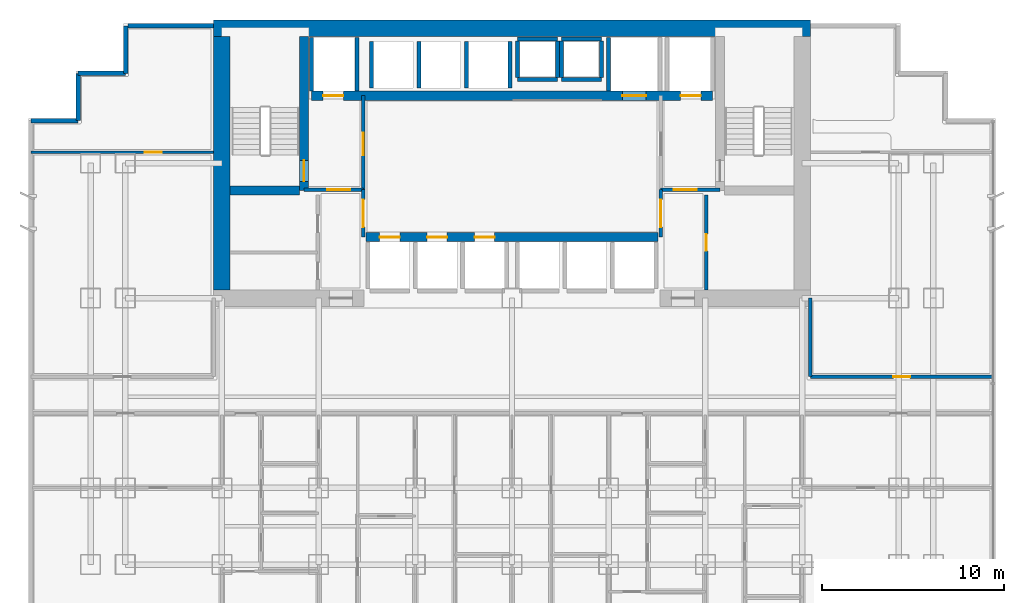
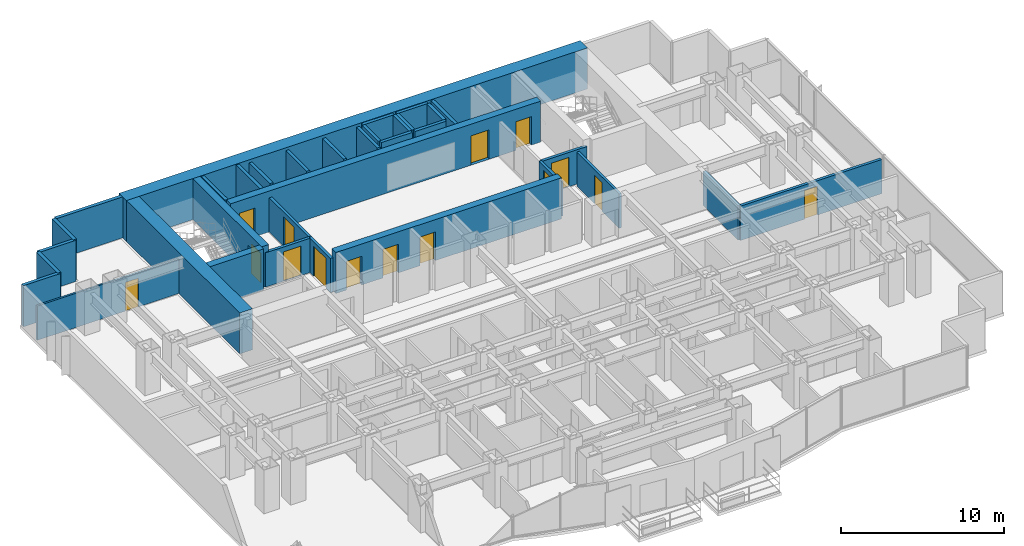
# One storey, part 9 of 12: 35 walls, 15 doors, 15 openings.
"""IFC4 building model written with IfcOpenShell, lengths in metres."""

from ifc_helpers import new_model, si_unit, direction, frame, frame_2d, origin, place, context, subcontext, project, spatial, rectangle, extrude, material, layer, layer_set, type_object, element, fill, save


model = new_model("IFC4")

# Units and contexts
model_context = context("Model", 3, precision=1e-05, world=origin(), true_north=direction((0.0, 1.0)))
body_context = subcontext(model_context, "Body", "Model", "MODEL_VIEW")
ifc_project = project(units=[si_unit("LENGTHUNIT", "METRE"), si_unit("AREAUNIT", "SQUARE_METRE"), si_unit("VOLUMEUNIT", "CUBIC_METRE"), si_unit("PLANEANGLEUNIT", "RADIAN"), si_unit("MASSUNIT", "GRAM", prefix="KILO")], contexts=[model_context])

# Site, building, storey
site_placement = place(None, origin())
site = spatial("IfcSite", under=ifc_project, at=site_placement, CompositionType="ELEMENT")
building_placement = place(site_placement, origin())
building = spatial("IfcBuilding", under=site, at=building_placement, Name="Qianlan Lanfeng Residences", CompositionType="ELEMENT")
storey_placement = place(building_placement, frame((0.0, 0.0, 63.800048828125)))
storey = spatial("IfcBuildingStorey", under=building, at=storey_placement, Name="L17", CompositionType="ELEMENT", Elevation=63.800048828125)

# Wall, opening, door
ifc_material_1 = material(Name="Concrete C70", Category="concrete")
ifc_layer_1 = layer(ifc_material_1, 0.5)
ifc_layer_set_1 = layer_set([ifc_layer_1], Name="Concrete C70")
wall_type_1 = type_object("IfcWallType", Name="CW-RC-500", PredefinedType="SHEAR", material=ifc_layer_set_1)
wall_1_placement = place(storey_placement, frame((15.10009765625, 31.10009765625, 0.0), z_axis=(0.0, 0.0, 1.0), x_axis=(0.0, 1.0, 0.0)))
wall_1 = element("IfcWall", 1, at=wall_1_placement, inside=storey, type_object=wall_type_1, Name="L17 Core Shear Wall ST1E", PredefinedType="SHEAR", context=body_context, shape_type="SweptSolid", body=[
    extrude(rectangle(XDim=8.449951171875, YDim=0.5, at=frame_2d((4.22509765625, 0.0))), origin(), (0.0, 0.0, 1.0), 3.079833984375),
])
opening_1_placement = place(wall_1_placement, frame((0.510009765625, 0.0, 0.0)))
opening_1 = element("IfcOpeningElement", 2, at=opening_1_placement, cuts=wall_1, Name="Opening L17-D07", PredefinedType="OPENING", context=body_context, shape_type="SweptSolid", body=[
    extrude(rectangle(XDim=1.14990234375, YDim=2.199951171875, at=frame_2d((0.574951171875, 1.10009765625))), frame((0.0, 0.260009765625, 0.0), z_axis=(0.0, -1.0, 0.0), x_axis=(1.0, 0.0, 0.0)), (0.0, 0.0, 1.0), 0.52001953125),
])
ifc_material_2 = material(Name="Painted Galvanised Steel Fire Door", Category="steel")
door_type_1 = type_object("IfcDoorType", Name="DT-ST1", OperationType="NOTDEFINED", PredefinedType="DOOR", material=ifc_material_2)
door_1_placement = place(opening_1_placement, frame((1.14990234375, 0.0, 0.0), z_axis=(0.0, 0.0, 1.0), x_axis=(-1.0, 0.0, 0.0)))
door_1 = element("IfcDoor", 3, at=door_1_placement, inside=storey, type_object=door_type_1, Name="L17 Exit Stair ST-1 Door L17-D07 (DT-ST1)", OperationType="SINGLE_SWING_RIGHT", OverallHeight=2.199951171875, OverallWidth=1.14990234375, PredefinedType="DOOR", context=body_context, shape_type="SweptSolid", body=[
    extrude(rectangle(XDim=1.14990234375, YDim=2.199951171875, at=frame_2d((0.574951171875, 1.10009765625))), frame((0.0, 0.02490234375, 0.0), z_axis=(0.0, -1.0, 0.0), x_axis=(1.0, 0.0, 0.0)), (0.0, 0.0, 1.0), 0.050048828125),
])
fill(opening_1, door_1)

# Wall
wall_2_placement = place(storey_placement, frame((11.050048828125, 31.10009765625, 0.0), z_axis=(0.0, 0.0, 1.0), x_axis=(1.0, 0.0, 0.0)))
element("IfcWall", 4, at=wall_2_placement, inside=storey, type_object=wall_type_1, Name="L17 Core Shear Wall ST1S", PredefinedType="SHEAR", context=body_context, shape_type="SweptSolid", body=[
    extrude(rectangle(XDim=3.800048828125, YDim=0.5, at=frame_2d((1.89990234375, 0.0))), origin(), (0.0, 0.0, 1.0), 3.079833984375),
])

# Wall, openings, doors
wall_3_placement = place(storey_placement, frame((15.5, 36.300048828125, 0.0), z_axis=(0.0, 0.0, 1.0), x_axis=(1.0, 0.0, 0.0)))
wall_3 = element("IfcWall", 5, at=wall_3_placement, inside=storey, type_object=wall_type_1, Name="L17 Core Shear Wall LBN", PredefinedType="SHEAR", context=body_context, shape_type="SweptSolid", body=[
    extrude(rectangle(XDim=22.0, YDim=0.5, at=frame_2d((11.0, 0.0))), origin(), (0.0, 0.0, 1.0), 3.079833984375),
])
opening_2_placement = place(wall_3_placement, frame((0.64990234375, 0.0, 0.0)))
opening_2 = element("IfcOpeningElement", 6, at=opening_2_placement, cuts=wall_3, Name="Opening L17-LD-FFL-1", PredefinedType="OPENING", context=body_context, shape_type="SweptSolid", body=[
    extrude(rectangle(XDim=1.10009765625, YDim=2.14990234375, at=frame_2d((0.550048828125, 1.074951171875))), frame((0.0, 0.260009765625, 0.0), z_axis=(0.0, -1.0, 0.0), x_axis=(1.0, 0.0, 0.0)), (0.0, 0.0, 1.0), 0.52001953125),
])
opening_3_placement = place(wall_3_placement, frame((20.25, 0.0, 0.0)))
opening_3 = element("IfcOpeningElement", 7, at=opening_3_placement, cuts=wall_3, Name="Opening L17-LD-FFL-2", PredefinedType="OPENING", context=body_context, shape_type="SweptSolid", body=[
    extrude(rectangle(XDim=1.10009765625, YDim=2.14990234375, at=frame_2d((0.550048828125, 1.074951171875))), frame((0.0, 0.260009765625, 0.0), z_axis=(0.0, -1.0, 0.0), x_axis=(1.0, 0.0, 0.0)), (0.0, 0.0, 1.0), 0.52001953125),
])
opening_4_placement = place(wall_3_placement, frame((17.050048828125, 0.0, 0.0)))
opening_4 = element("IfcOpeningElement", 8, at=opening_4_placement, cuts=wall_3, Name="Opening L17-LD-SVL-1", PredefinedType="OPENING", context=body_context, shape_type="SweptSolid", body=[
    extrude(rectangle(XDim=1.300048828125, YDim=2.199951171875, at=frame_2d((0.64990234375, 1.10009765625))), frame((0.0, 0.260009765625, 0.0), z_axis=(0.0, -1.0, 0.0), x_axis=(1.0, 0.0, 0.0)), (0.0, 0.0, 1.0), 0.52001953125),
])
ifc_material_3 = material(Name="Brushed Stainless Steel Sliding Lift Door", Category="steel")
door_type_2 = type_object("IfcDoorType", Name="LD-01", OperationType="NOTDEFINED", PredefinedType="DOOR", material=ifc_material_3)
door_2_placement = place(opening_2_placement, frame((1.10009765625, 0.0, 0.0), z_axis=(0.0, 0.0, 1.0), x_axis=(-1.0, 0.0, 0.0)))
door_2 = element("IfcDoor", 9, at=door_2_placement, inside=storey, type_object=door_type_2, Name="L17 Elevator FFL-1 Sliding Landing Door", OperationType="DOUBLE_DOOR_SLIDING", OverallHeight=2.14990234375, OverallWidth=1.10009765625, PredefinedType="DOOR", context=body_context, shape_type="SweptSolid", body=[
    extrude(rectangle(XDim=1.10009765625, YDim=2.14990234375, at=frame_2d((0.550048828125, 1.074951171875))), frame((0.0, 0.02490234375, 0.0), z_axis=(0.0, -1.0, 0.0), x_axis=(1.0, 0.0, 0.0)), (0.0, 0.0, 1.0), 0.050048828125),
])
fill(opening_2, door_2)
door_3_placement = place(opening_3_placement, frame((1.10009765625, 0.0, 0.0), z_axis=(0.0, 0.0, 1.0), x_axis=(-1.0, 0.0, 0.0)))
door_3 = element("IfcDoor", 10, at=door_3_placement, inside=storey, type_object=door_type_2, Name="L17 Elevator FFL-2 Sliding Landing Door", OperationType="DOUBLE_DOOR_SLIDING", OverallHeight=2.14990234375, OverallWidth=1.10009765625, PredefinedType="DOOR", context=body_context, shape_type="SweptSolid", body=[
    extrude(rectangle(XDim=1.10009765625, YDim=2.14990234375, at=frame_2d((0.550048828125, 1.074951171875))), frame((0.0, 0.02490234375, 0.0), z_axis=(0.0, -1.0, 0.0), x_axis=(1.0, 0.0, 0.0)), (0.0, 0.0, 1.0), 0.050048828125),
])
fill(opening_3, door_3)
door_type_3 = type_object("IfcDoorType", Name="LD-02", OperationType="NOTDEFINED", PredefinedType="DOOR", material=ifc_material_3)
door_4_placement = place(opening_4_placement, frame((1.300048828125, 0.0, 0.0), z_axis=(0.0, 0.0, 1.0), x_axis=(-1.0, 0.0, 0.0)))
door_4 = element("IfcDoor", 11, at=door_4_placement, inside=storey, type_object=door_type_3, Name="L17 Elevator SVL-1 Sliding Landing Door", OperationType="DOUBLE_DOOR_SLIDING", OverallHeight=2.199951171875, OverallWidth=1.300048828125, PredefinedType="DOOR", context=body_context, shape_type="SweptSolid", body=[
    extrude(rectangle(XDim=1.300048828125, YDim=2.199951171875, at=frame_2d((0.64990234375, 1.10009765625))), frame((0.0, 0.02490234375, 0.0), z_axis=(0.0, -1.0, 0.0), x_axis=(1.0, 0.0, 0.0)), (0.0, 0.0, 1.0), 0.050048828125),
])
fill(opening_4, door_4)

wall_4_placement = place(storey_placement, frame((18.5, 28.550048828125, 0.0), z_axis=(0.0, 0.0, 1.0), x_axis=(1.0, 0.0, 0.0)))
wall_4 = element("IfcWall", 12, at=wall_4_placement, inside=storey, type_object=wall_type_1, Name="L17 Core Shear Wall LBS", PredefinedType="SHEAR", context=body_context, shape_type="SweptSolid", body=[
    extrude(rectangle(XDim=16.0, YDim=0.5, at=frame_2d((8.0, 0.0))), origin(), (0.0, 0.0, 1.0), 3.079833984375),
])
opening_5_placement = place(wall_4_placement, frame((0.75, 0.0, 0.0)))
opening_5 = element("IfcOpeningElement", 13, at=opening_5_placement, cuts=wall_4, Name="Opening L17-LD-PL-L1", PredefinedType="OPENING", context=body_context, shape_type="SweptSolid", body=[
    extrude(rectangle(XDim=1.10009765625, YDim=2.14990234375, at=frame_2d((0.550048828125, 1.074951171875))), frame((0.0, 0.260009765625, 0.0), z_axis=(0.0, -1.0, 0.0), x_axis=(1.0, 0.0, 0.0)), (0.0, 0.0, 1.0), 0.52001953125),
])
opening_6_placement = place(wall_4_placement, frame((3.35009765625, 0.0, 0.0)))
opening_6 = element("IfcOpeningElement", 14, at=opening_6_placement, cuts=wall_4, Name="Opening L17-LD-PL-L2", PredefinedType="OPENING", context=body_context, shape_type="SweptSolid", body=[
    extrude(rectangle(XDim=1.10009765625, YDim=2.14990234375, at=frame_2d((0.550048828125, 1.074951171875))), frame((0.0, 0.260009765625, 0.0), z_axis=(0.0, -1.0, 0.0), x_axis=(1.0, 0.0, 0.0)), (0.0, 0.0, 1.0), 0.52001953125),
])
opening_7_placement = place(wall_4_placement, frame((5.949951171875, 0.0, 0.0)))
opening_7 = element("IfcOpeningElement", 15, at=opening_7_placement, cuts=wall_4, Name="Opening L17-LD-PL-L3", PredefinedType="OPENING", context=body_context, shape_type="SweptSolid", body=[
    extrude(rectangle(XDim=1.10009765625, YDim=2.14990234375, at=frame_2d((0.550048828125, 1.074951171875))), frame((0.0, 0.260009765625, 0.0), z_axis=(0.0, -1.0, 0.0), x_axis=(1.0, 0.0, 0.0)), (0.0, 0.0, 1.0), 0.52001953125),
])
door_5_placement = place(opening_5_placement, origin())
door_5 = element("IfcDoor", 16, at=door_5_placement, inside=storey, type_object=door_type_2, Name="L17 Elevator PL-L1 Sliding Landing Door", OperationType="DOUBLE_DOOR_SLIDING", OverallHeight=2.14990234375, OverallWidth=1.10009765625, PredefinedType="DOOR", context=body_context, shape_type="SweptSolid", body=[
    extrude(rectangle(XDim=1.10009765625, YDim=2.14990234375, at=frame_2d((0.550048828125, 1.074951171875))), frame((0.0, 0.02490234375, 0.0), z_axis=(0.0, -1.0, 0.0), x_axis=(1.0, 0.0, 0.0)), (0.0, 0.0, 1.0), 0.050048828125),
])
fill(opening_5, door_5)
door_6_placement = place(opening_6_placement, origin())
door_6 = element("IfcDoor", 17, at=door_6_placement, inside=storey, type_object=door_type_2, Name="L17 Elevator PL-L2 Sliding Landing Door", OperationType="DOUBLE_DOOR_SLIDING", OverallHeight=2.14990234375, OverallWidth=1.10009765625, PredefinedType="DOOR", context=body_context, shape_type="SweptSolid", body=[
    extrude(rectangle(XDim=1.10009765625, YDim=2.14990234375, at=frame_2d((0.550048828125, 1.074951171875))), frame((0.0, 0.02490234375, 0.0), z_axis=(0.0, -1.0, 0.0), x_axis=(1.0, 0.0, 0.0)), (0.0, 0.0, 1.0), 0.050048828125),
])
fill(opening_6, door_6)
door_7_placement = place(opening_7_placement, origin())
door_7 = element("IfcDoor", 18, at=door_7_placement, inside=storey, type_object=door_type_2, Name="L17 Elevator PL-L3 Sliding Landing Door", OperationType="DOUBLE_DOOR_SLIDING", OverallHeight=2.14990234375, OverallWidth=1.10009765625, PredefinedType="DOOR", context=body_context, shape_type="SweptSolid", body=[
    extrude(rectangle(XDim=1.10009765625, YDim=2.14990234375, at=frame_2d((0.550048828125, 1.074951171875))), frame((0.0, 0.02490234375, 0.0), z_axis=(0.0, -1.0, 0.0), x_axis=(1.0, 0.0, 0.0)), (0.0, 0.0, 1.0), 0.050048828125),
])
fill(opening_7, door_7)

# Walls
ifc_layer_2 = layer(ifc_material_1, 0.89990234375)
ifc_layer_set_2 = layer_set([ifc_layer_2], Name="Concrete C70")
wall_type_2 = type_object("IfcWallType", Name="CW-RC-900", PredefinedType="SHEAR", material=ifc_layer_set_2)
wall_5_placement = place(storey_placement, frame((10.14990234375, 40.0, 0.0), z_axis=(0.0, 0.0, 1.0), x_axis=(1.0, 0.0, 0.0)))
element("IfcWall", 19, at=wall_5_placement, inside=storey, type_object=wall_type_2, Name="L17 Core Shear Wall N", PredefinedType="SHEAR", context=body_context, shape_type="SweptSolid", body=[
    extrude(rectangle(XDim=32.7001953125, YDim=0.89990234375, at=frame_2d((16.35009765625, 0.0))), origin(), (0.0, 0.0, 1.0), 3.079833984375),
])
wall_6_placement = place(storey_placement, frame((10.60009765625, 25.64990234375, 0.0), z_axis=(0.0, 0.0, 1.0), x_axis=(0.0, 1.0, 0.0)))
element("IfcWall", 20, at=wall_6_placement, inside=storey, type_object=wall_type_2, Name="L17 Core Shear Wall W", PredefinedType="SHEAR", context=body_context, shape_type="SweptSolid", body=[
    extrude(rectangle(XDim=13.900146484375, YDim=0.89990234375, at=frame_2d((6.9501953125, 0.0))), origin(), (0.0, 0.0, 1.0), 3.079833984375),
])
ifc_material_4 = material(Name="Concrete C42", Category="concrete")
ifc_layer_3 = layer(ifc_material_4, 0.239990234375)
ifc_layer_set_3 = layer_set([ifc_layer_3], Name="Concrete C42")
wall_type_3 = type_object("IfcWallType", Name="EW-240", PredefinedType="SOLIDWALL", material=ifc_layer_set_3)
wall_7_placement = place(storey_placement, frame((10.14990234375, 40.1298828125, 0.0), z_axis=(0.0, 0.0, 1.0), x_axis=(-1.0, 0.0, 0.0)))
element("IfcWall", 21, at=wall_7_placement, inside=storey, type_object=wall_type_3, Name="L17 North Wing Exterior Wall W", PredefinedType="SOLIDWALL", context=body_context, shape_type="SweptSolid", body=[
    extrude(rectangle(XDim=4.699951171875, YDim=0.239990234375, at=frame_2d((2.35009765625, 0.0))), origin(), (0.0, 0.0, 1.0), 3.079833984375),
])
wall_8_placement = place(storey_placement, frame((5.320068359375, 40.1298828125, 0.0), z_axis=(0.0, 0.0, 1.0), x_axis=(0.0, -1.0, 0.0)))
element("IfcWall", 22, at=wall_8_placement, inside=storey, type_object=wall_type_3, Name="L17 Exterior Facade Spandrel Wall 17", PredefinedType="SOLIDWALL", context=body_context, shape_type="SweptSolid", body=[
    extrude(rectangle(XDim=2.599853515625, YDim=0.239990234375, at=frame_2d((1.2998046875, 0.0))), origin(), (0.0, 0.0, 1.0), 3.079833984375),
])
for number, where, z_axis, x_axis, name in (
    (23, (5.320068359375, 37.530029296875, 0.0), (0.0, 0.0, 1.0), (-1.0, 0.0, 0.0), "L17 Exterior Facade Spandrel Wall 18"),
    (24, (2.719970703125, 37.530029296875, 0.0), (0.0, 0.0, 1.0), (0.0, -1.0, 0.0), "L17 Exterior Facade Spandrel Wall 19"),
):
    element("IfcWall", number, at=place(storey_placement, frame(where, z_axis=z_axis, x_axis=x_axis)), inside=storey, type_object=wall_type_3, Name=name, PredefinedType="SOLIDWALL", context=body_context, shape_type="SweptSolid", body=[
        extrude(rectangle(XDim=2.60009765625, YDim=0.239990234375, at=frame_2d((1.300048828125, 0.0))), origin(), (0.0, 0.0, 1.0), 3.079833984375),
    ])
wall_9_placement = place(storey_placement, frame((2.719970703125, 34.929931640625, 0.0), z_axis=(0.0, 0.0, 1.0), x_axis=(-1.0, 0.0, 0.0)))
element("IfcWall", 25, at=wall_9_placement, inside=storey, type_object=wall_type_3, Name="L17 Exterior Facade Spandrel Wall 20", PredefinedType="SOLIDWALL", context=body_context, shape_type="SweptSolid", body=[
    extrude(rectangle(XDim=2.599853515625, YDim=0.239990234375, at=frame_2d((1.2998046875, 0.0))), origin(), (0.0, 0.0, 1.0), 3.079833984375),
])

# Wall, opening, door
ifc_material_5 = material(Name="Moisture-Resistant Gypsum Partition 135 mm")
ifc_layer_4 = layer(ifc_material_5, 0.135009765625)
ifc_layer_set_4 = layer_set([ifc_layer_4], Name="Moisture-Resistant Gypsum Partition 135 mm")
wall_type_4 = type_object("IfcWallType", Name="PW-135", PredefinedType="PARTITIONING", material=ifc_layer_set_4)
wall_10_placement = place(storey_placement, frame((0.1201171875, 33.199951171875, 0.0), z_axis=(0.0, 0.0, 1.0), x_axis=(1.0, 0.0, 0.0)))
wall_10 = element("IfcWall", 26, at=wall_10_placement, inside=storey, type_object=wall_type_4, Name="L17 WW North Wing Wall", PredefinedType="PARTITIONING", context=body_context, shape_type="SweptSolid", body=[
    extrude(rectangle(XDim=10.02978515625, YDim=0.135009765625, at=frame_2d((5.014892578125, 0.0))), origin(), (0.0, 0.0, 1.0), 2.570068359375),
])
opening_8_placement = place(wall_10_placement, frame((6.2548828125, 0.0, 0.0)))
opening_8 = element("IfcOpeningElement", 27, at=opening_8_placement, cuts=wall_10, Name="Opening L17-D46", PredefinedType="OPENING", context=body_context, shape_type="SweptSolid", body=[
    extrude(rectangle(XDim=0.919921875, YDim=2.14990234375, at=frame_2d((0.4599609375, 1.074951171875))), frame((0.0, 0.07763671875, 0.0), z_axis=(0.0, -1.0, 0.0), x_axis=(1.0, 0.0, 0.0)), (0.0, 0.0, 1.0), 0.155029296875),
])
ifc_material_6 = material(Name="Glazed Timber Kitchen/Study Door", Category="wood")
door_type_4 = type_object("IfcDoorType", Name="DT-INT", OperationType="NOTDEFINED", PredefinedType="DOOR", material=ifc_material_6)
door_8_placement = place(opening_8_placement, origin())
door_8 = element("IfcDoor", 28, at=door_8_placement, inside=storey, type_object=door_type_4, Name="L17 WW Inner Salon Door L17-D46 (DT-INT)", OperationType="SINGLE_SWING_LEFT", OverallHeight=2.14990234375, OverallWidth=0.919921875, PredefinedType="DOOR", context=body_context, shape_type="SweptSolid", body=[
    extrude(rectangle(XDim=0.919921875, YDim=2.14990234375, at=frame_2d((0.4599609375, 1.074951171875))), frame((0.0, 0.02490234375, 0.0), z_axis=(0.0, -1.0, 0.0), x_axis=(1.0, 0.0, 0.0)), (0.0, 0.0, 1.0), 0.050048828125),
])
fill(opening_8, door_8)

ifc_material_7 = material(Name="Double-Layer Acoustic Gypsum Stud Wall 180 mm")
ifc_layer_5 = layer(ifc_material_7, 0.179931640625)
ifc_layer_set_5 = layer_set([ifc_layer_5], Name="Double-Layer Acoustic Gypsum Stud Wall 180 mm")
wall_type_5 = type_object("IfcWallType", Name="PW-180", PredefinedType="PARTITIONING", material=ifc_layer_set_5)
wall_11_placement = place(storey_placement, frame((37.14990234375, 25.64990234375, 0.0), z_axis=(0.0, 0.0, 1.0), x_axis=(0.0, 1.0, 0.0)))
wall_11 = element("IfcWall", 29, at=wall_11_placement, inside=storey, type_object=wall_type_5, Name="L17 Core East Service Room Wall", PredefinedType="PARTITIONING", context=body_context, shape_type="SweptSolid", body=[
    extrude(rectangle(XDim=5.2001953125, YDim=0.179931640625, at=frame_2d((2.60009765625, 0.0))), origin(), (0.0, 0.0, 1.0), 2.570068359375),
])
opening_9_placement = place(wall_11_placement, frame((2.139892578125, 0.0, 0.0)))
opening_9 = element("IfcOpeningElement", 30, at=opening_9_placement, cuts=wall_11, Name="Opening L17-D11", PredefinedType="OPENING", context=body_context, shape_type="SweptSolid", body=[
    extrude(rectangle(XDim=0.919921875, YDim=2.14990234375, at=frame_2d((0.4599609375, 1.074951171875))), frame((0.0, 0.10009765625, 0.0), z_axis=(0.0, -1.0, 0.0), x_axis=(1.0, 0.0, 0.0)), (0.0, 0.0, 1.0), 0.199951171875),
])
door_9_placement = place(opening_9_placement, origin())
door_9 = element("IfcDoor", 31, at=door_9_placement, inside=storey, type_object=door_type_4, Name="L17 Mail Parcel Closet Door L17-D11 (DT-INT)", OperationType="SINGLE_SWING_RIGHT", OverallHeight=2.14990234375, OverallWidth=0.919921875, PredefinedType="DOOR", context=body_context, shape_type="SweptSolid", body=[
    extrude(rectangle(XDim=0.919921875, YDim=2.14990234375, at=frame_2d((0.4599609375, 1.074951171875))), frame((0.0, 0.02490234375, 0.0), z_axis=(0.0, -1.0, 0.0), x_axis=(1.0, 0.0, 0.0)), (0.0, 0.0, 1.0), 0.050048828125),
])
fill(opening_9, door_9)

ifc_material_8 = material(Name="Autoclaved Aerated Concrete Blockwork 200 mm", Category="masonry")
ifc_layer_6 = layer(ifc_material_8, 0.199951171875)
ifc_layer_set_6 = layer_set([ifc_layer_6], Name="Autoclaved Aerated Concrete Blockwork 200 mm")
wall_type_6 = type_object("IfcWallType", Name="PW-200", PredefinedType="PARTITIONING", material=ifc_layer_set_6)
wall_12_placement = place(storey_placement, frame((15.10009765625, 31.14990234375, 0.0), z_axis=(0.0, 0.0, 1.0), x_axis=(1.0, 0.0, 0.0)))
wall_12 = element("IfcWall", 32, at=wall_12_placement, inside=storey, type_object=wall_type_6, Name="L17 Firefighting Lobby 1 South Wall", PredefinedType="PARTITIONING", context=body_context, shape_type="SweptSolid", body=[
    extrude(rectangle(XDim=3.25, YDim=0.199951171875, at=frame_2d((1.625, 0.0))), origin(), (0.0, 0.0, 1.0), 2.570068359375),
])
opening_10_placement = place(wall_12_placement, frame((1.27490234375, 0.0, 0.0)))
opening_10 = element("IfcOpeningElement", 33, at=opening_10_placement, cuts=wall_12, Name="Opening L17-D03", PredefinedType="OPENING", context=body_context, shape_type="SweptSolid", body=[
    extrude(rectangle(XDim=1.25, YDim=2.199951171875, at=frame_2d((0.625, 1.10009765625))), frame((0.0, 0.10986328125, 0.0), z_axis=(0.0, -1.0, 0.0), x_axis=(1.0, 0.0, 0.0)), (0.0, 0.0, 1.0), 0.219970703125),
])
door_type_5 = type_object("IfcDoorType", Name="DT-FFL", OperationType="NOTDEFINED", PredefinedType="DOOR", material=ifc_material_2)
door_10_placement = place(opening_10_placement, origin())
door_10 = element("IfcDoor", 34, at=door_10_placement, inside=storey, type_object=door_type_5, Name="L17 Firefighting Lobby 1 Entry Door L17-D03 (DT-FFL)", OperationType="SINGLE_SWING_LEFT", OverallHeight=2.199951171875, OverallWidth=1.25, PredefinedType="DOOR", context=body_context, shape_type="SweptSolid", body=[
    extrude(rectangle(XDim=1.25, YDim=2.199951171875, at=frame_2d((0.625, 1.10009765625))), frame((0.0, 0.02490234375, 0.0), z_axis=(0.0, -1.0, 0.0), x_axis=(1.0, 0.0, 0.0)), (0.0, 0.0, 1.0), 0.050048828125),
])
fill(opening_10, door_10)

wall_13_placement = place(storey_placement, frame((18.35009765625, 31.14990234375, 0.0), z_axis=(0.0, 0.0, 1.0), x_axis=(0.0, 1.0, 0.0)))
wall_13 = element("IfcWall", 35, at=wall_13_placement, inside=storey, type_object=wall_type_6, Name="L17 Firefighting Lobby 1 East Wall", PredefinedType="PARTITIONING", context=body_context, shape_type="SweptSolid", body=[
    extrude(rectangle(XDim=5.150146484375, YDim=0.199951171875, at=frame_2d((2.5751953125, 0.0))), origin(), (0.0, 0.0, 1.0), 2.570068359375),
])
opening_11_placement = place(wall_13_placement, frame((1.875, 0.0, 0.0)))
opening_11 = element("IfcOpeningElement", 36, at=opening_11_placement, cuts=wall_13, Name="Opening L17-D04", PredefinedType="OPENING", context=body_context, shape_type="SweptSolid", body=[
    extrude(rectangle(XDim=1.25, YDim=2.199951171875, at=frame_2d((0.625, 1.10009765625))), frame((0.0, 0.10986328125, 0.0), z_axis=(0.0, -1.0, 0.0), x_axis=(1.0, 0.0, 0.0)), (0.0, 0.0, 1.0), 0.219970703125),
])
door_11_placement = place(opening_11_placement, origin())
door_11 = element("IfcDoor", 37, at=door_11_placement, inside=storey, type_object=door_type_5, Name="L17 Firefighting Lobby 1 Lift Lobby Door L17-D04 (DT-FFL)", OperationType="SINGLE_SWING_LEFT", OverallHeight=2.199951171875, OverallWidth=1.25, PredefinedType="DOOR", context=body_context, shape_type="SweptSolid", body=[
    extrude(rectangle(XDim=1.25, YDim=2.199951171875, at=frame_2d((0.625, 1.10009765625))), frame((0.0, 0.02490234375, 0.0), z_axis=(0.0, -1.0, 0.0), x_axis=(1.0, 0.0, 0.0)), (0.0, 0.0, 1.0), 0.050048828125),
])
fill(opening_11, door_11)

wall_14_placement = place(storey_placement, frame((34.64990234375, 31.14990234375, 0.0), z_axis=(0.0, 0.0, 1.0), x_axis=(1.0, 0.0, 0.0)))
wall_14 = element("IfcWall", 38, at=wall_14_placement, inside=storey, type_object=wall_type_6, Name="L17 Firefighting Lobby 2 South Wall", PredefinedType="PARTITIONING", context=body_context, shape_type="SweptSolid", body=[
    extrude(rectangle(XDim=3.25, YDim=0.199951171875, at=frame_2d((1.625, 0.0))), origin(), (0.0, 0.0, 1.0), 2.570068359375),
])
opening_12_placement = place(wall_14_placement, frame((0.72509765625, 0.0, 0.0)))
opening_12 = element("IfcOpeningElement", 39, at=opening_12_placement, cuts=wall_14, Name="Opening L17-D05", PredefinedType="OPENING", context=body_context, shape_type="SweptSolid", body=[
    extrude(rectangle(XDim=1.25, YDim=2.199951171875, at=frame_2d((0.625, 1.10009765625))), frame((0.0, 0.10986328125, 0.0), z_axis=(0.0, -1.0, 0.0), x_axis=(1.0, 0.0, 0.0)), (0.0, 0.0, 1.0), 0.219970703125),
])
door_12_placement = place(opening_12_placement, origin())
door_12 = element("IfcDoor", 40, at=door_12_placement, inside=storey, type_object=door_type_5, Name="L17 Firefighting Lobby 2 Entry Door L17-D05 (DT-FFL)", OperationType="SINGLE_SWING_RIGHT", OverallHeight=2.199951171875, OverallWidth=1.25, PredefinedType="DOOR", context=body_context, shape_type="SweptSolid", body=[
    extrude(rectangle(XDim=1.25, YDim=2.199951171875, at=frame_2d((0.625, 1.10009765625))), frame((0.0, 0.02490234375, 0.0), z_axis=(0.0, -1.0, 0.0), x_axis=(1.0, 0.0, 0.0)), (0.0, 0.0, 1.0), 0.050048828125),
])
fill(opening_12, door_12)

wall_15_placement = place(storey_placement, frame((18.35009765625, 28.550048828125, 0.0), z_axis=(0.0, 0.0, 1.0), x_axis=(0.0, 1.0, 0.0)))
wall_15 = element("IfcWall", 41, at=wall_15_placement, inside=storey, type_object=wall_type_6, Name="L17 Lift Lobby West Connector Wall", PredefinedType="PARTITIONING", context=body_context, shape_type="SweptSolid", body=[
    extrude(rectangle(XDim=2.599853515625, YDim=0.199951171875, at=frame_2d((1.2998046875, 0.0))), origin(), (0.0, 0.0, 1.0), 2.570068359375),
])
opening_13_placement = place(wall_15_placement, frame((0.550048828125, 0.0, 0.0)))
opening_13 = element("IfcOpeningElement", 42, at=opening_13_placement, cuts=wall_15, Name="Opening L17-D12", PredefinedType="OPENING", context=body_context, shape_type="SweptSolid", body=[
    extrude(rectangle(XDim=1.5, YDim=2.25, at=frame_2d((0.75, 1.125))), frame((0.0, 0.10986328125, 0.0), z_axis=(0.0, -1.0, 0.0), x_axis=(1.0, 0.0, 0.0)), (0.0, 0.0, 1.0), 0.219970703125),
])
ifc_material_9 = material(Name="Timber Veneer Acoustic Fire Door", Category="wood")
door_type_6 = type_object("IfcDoorType", Name="DT-COR1", OperationType="NOTDEFINED", PredefinedType="DOOR", material=ifc_material_9)
door_13_placement = place(opening_13_placement, origin())
door_13 = element("IfcDoor", 43, at=door_13_placement, inside=storey, type_object=door_type_6, Name="L17 Lift Lobby West Portal Door L17-D12 (DT-COR1)", OperationType="DOUBLE_DOOR_SINGLE_SWING", OverallHeight=2.25, OverallWidth=1.5, PredefinedType="DOOR", context=body_context, shape_type="SweptSolid", body=[
    extrude(rectangle(XDim=1.5, YDim=2.25, at=frame_2d((0.75, 1.125))), frame((0.0, 0.02490234375, 0.0), z_axis=(0.0, -1.0, 0.0), x_axis=(1.0, 0.0, 0.0)), (0.0, 0.0, 1.0), 0.050048828125),
])
fill(opening_13, door_13)

wall_16_placement = place(storey_placement, frame((34.64990234375, 28.550048828125, 0.0), z_axis=(0.0, 0.0, 1.0), x_axis=(0.0, 1.0, 0.0)))
wall_16 = element("IfcWall", 44, at=wall_16_placement, inside=storey, type_object=wall_type_6, Name="L17 Lift Lobby East Connector Wall", PredefinedType="PARTITIONING", context=body_context, shape_type="SweptSolid", body=[
    extrude(rectangle(XDim=2.599853515625, YDim=0.199951171875, at=frame_2d((1.2998046875, 0.0))), origin(), (0.0, 0.0, 1.0), 2.570068359375),
])
opening_14_placement = place(wall_16_placement, frame((0.550048828125, 0.0, 0.0)))
opening_14 = element("IfcOpeningElement", 45, at=opening_14_placement, cuts=wall_16, Name="Opening L17-D13", PredefinedType="OPENING", context=body_context, shape_type="SweptSolid", body=[
    extrude(rectangle(XDim=1.5, YDim=2.25, at=frame_2d((0.75, 1.125))), frame((0.0, 0.10986328125, 0.0), z_axis=(0.0, -1.0, 0.0), x_axis=(1.0, 0.0, 0.0)), (0.0, 0.0, 1.0), 0.219970703125),
])
door_14_placement = place(opening_14_placement, frame((1.5, 0.0, 0.0), z_axis=(0.0, 0.0, 1.0), x_axis=(-1.0, 0.0, 0.0)))
door_14 = element("IfcDoor", 46, at=door_14_placement, inside=storey, type_object=door_type_6, Name="L17 Lift Lobby East Portal Door L17-D13 (DT-COR1)", OperationType="DOUBLE_DOOR_SINGLE_SWING", OverallHeight=2.25, OverallWidth=1.5, PredefinedType="DOOR", context=body_context, shape_type="SweptSolid", body=[
    extrude(rectangle(XDim=1.5, YDim=2.25, at=frame_2d((0.75, 1.125))), frame((0.0, 0.02490234375, 0.0), z_axis=(0.0, -1.0, 0.0), x_axis=(1.0, 0.0, 0.0)), (0.0, 0.0, 1.0), 0.050048828125),
])
fill(opening_14, door_14)

wall_17_placement = place(storey_placement, frame((42.85009765625, 20.89990234375, 0.0), z_axis=(0.0, 0.0, 1.0), x_axis=(1.0, 0.0, 0.0)))
wall_17 = element("IfcWall", 47, at=wall_17_placement, inside=storey, type_object=wall_type_6, Name="L17 Corridor NE Wall", PredefinedType="PARTITIONING", context=body_context, shape_type="SweptSolid", body=[
    extrude(rectangle(XDim=10.02978515625, YDim=0.199951171875, at=frame_2d((5.014892578125, 0.0))), origin(), (0.0, 0.0, 1.0), 2.570068359375),
])
opening_15_placement = place(wall_17_placement, frame((4.554931640625, 0.0, 0.0)))
opening_15 = element("IfcOpeningElement", 48, at=opening_15_placement, cuts=wall_17, Name="Opening L17-D49", PredefinedType="OPENING", context=body_context, shape_type="SweptSolid", body=[
    extrude(rectangle(XDim=0.919921875, YDim=2.14990234375, at=frame_2d((0.4599609375, 1.074951171875))), frame((0.0, 0.10986328125, 0.0), z_axis=(0.0, -1.0, 0.0), x_axis=(1.0, 0.0, 0.0)), (0.0, 0.0, 1.0), 0.219970703125),
])
door_15_placement = place(opening_15_placement, origin())
door_15 = element("IfcDoor", 49, at=door_15_placement, inside=storey, type_object=door_type_4, Name="L17 EW Amenity Salon Door L17-D49 (DT-INT)", OperationType="SINGLE_SWING_RIGHT", OverallHeight=2.14990234375, OverallWidth=0.919921875, PredefinedType="DOOR", context=body_context, shape_type="SweptSolid", body=[
    extrude(rectangle(XDim=0.919921875, YDim=2.14990234375, at=frame_2d((0.4599609375, 1.074951171875))), frame((0.0, 0.02490234375, 0.0), z_axis=(0.0, -1.0, 0.0), x_axis=(1.0, 0.0, 0.0)), (0.0, 0.0, 1.0), 0.050048828125),
])
fill(opening_15, door_15)

# Walls
wall_18_placement = place(storey_placement, frame((42.85009765625, 20.89990234375, 0.0), z_axis=(0.0, 0.0, 1.0), x_axis=(0.0, 1.0, 0.0)))
element("IfcWall", 50, at=wall_18_placement, inside=storey, type_object=wall_type_6, Name="L17 NE Wing Core Return Wall", PredefinedType="PARTITIONING", context=body_context, shape_type="SweptSolid", body=[
    extrude(rectangle(XDim=4.300048828125, YDim=0.199951171875, at=frame_2d((2.14990234375, 0.0))), origin(), (0.0, 0.0, 1.0), 2.570068359375),
])
ifc_material_10 = material(Name="Concrete C49", Category="concrete")
ifc_layer_7 = layer(ifc_material_10, 0.219970703125)
ifc_layer_set_7 = layer_set([ifc_layer_7], Name="Concrete C49")
wall_type_7 = type_object("IfcWallType", Name="SHW-220", PredefinedType="SOLIDWALL", material=ifc_layer_set_7)
for number, where, z_axis, x_axis, name in (
    (51, (15.52001953125, 36.550048828125, 0.0), (0.0, 0.0, 1.0), (0.0, 1.0, 0.0), "L17 Lift FFL-1 Shaft Wall W"),
    (52, (18.0, 36.550048828125, 0.0), (0.0, 0.0, 1.0), (0.0, 1.0, 0.0), "L17 Lift FFL-1 Shaft Wall E"),
    (53, (31.800048828125, 36.550048828125, 0.0), (0.0, 0.0, 1.0), (0.0, 1.0, 0.0), "L17 Lift SVL-1 Shaft Wall W"),
):
    element("IfcWall", number, at=place(storey_placement, frame(where, z_axis=z_axis, x_axis=x_axis)), inside=storey, type_object=wall_type_7, Name=name, PredefinedType="SOLIDWALL", context=body_context, shape_type="SweptSolid", body=[
        extrude(rectangle(XDim=2.929931640625, YDim=0.219970703125, at=frame_2d((1.46484375, 0.0))), origin(), (0.0, 0.0, 1.0), 3.079833984375),
    ])
for number, where, z_axis, x_axis, name in (
    (54, (18.800048828125, 36.719970703125, 0.0), (0.0, 0.0, 1.0), (0.0, 1.0, 0.0), "L17 Lift PL-H1 Shaft Wall W"),
    (55, (21.39990234375, 36.719970703125, 0.0), (0.0, 0.0, 1.0), (0.0, 1.0, 0.0), "L17 Lift PL-H2 Shaft Wall W"),
    (56, (24.0, 36.719970703125, 0.0), (0.0, 0.0, 1.0), (0.0, 1.0, 0.0), "L17 Lift PL-H3 Shaft Wall W"),
    (57, (26.39990234375, 36.719970703125, 0.0), (0.0, 0.0, 1.0), (0.0, 1.0, 0.0), "L17 Lift PL-H3 Shaft Wall E"),
):
    element("IfcWall", number, at=place(storey_placement, frame(where, z_axis=z_axis, x_axis=x_axis)), inside=storey, type_object=wall_type_7, Name=name, PredefinedType="SOLIDWALL", context=body_context, shape_type="SweptSolid", body=[
        extrude(rectangle(XDim=2.56005859375, YDim=0.219970703125, at=frame_2d((1.280029296875, 0.0))), origin(), (0.0, 0.0, 1.0), 3.079833984375),
    ])
for number, where, z_axis, x_axis, name in (
    (58, (26.800048828125, 37.31005859375, 0.0), (0.0, 0.0, 1.0), (0.0, 1.0, 0.0), "L17 MEP Riser MEP-R1 Shaft Wall W"),
    (59, (29.0, 37.31005859375, 0.0), (0.0, 0.0, 1.0), (0.0, 1.0, 0.0), "L17 MEP Riser MEP-R1 Shaft Wall E"),
):
    element("IfcWall", number, at=place(storey_placement, frame(where, z_axis=z_axis, x_axis=x_axis)), inside=storey, type_object=wall_type_7, Name=name, PredefinedType="SOLIDWALL", context=body_context, shape_type="SweptSolid", body=[
        extrude(rectangle(XDim=1.97998046875, YDim=0.219970703125, at=frame_2d((0.989990234375, 0.0))), origin(), (0.0, 0.0, 1.0), 3.079833984375),
    ])
for number, where, z_axis, x_axis, name in (
    (60, (26.800048828125, 39.39990234375, 0.0), (0.0, 0.0, 1.0), (1.0, 0.0, 0.0), "L17 MEP Riser MEP-R1 Shaft Wall N"),
    (61, (26.800048828125, 37.199951171875, 0.0), (0.0, 0.0, 1.0), (1.0, 0.0, 0.0), "L17 MEP Riser MEP-R1 Shaft Wall S"),
):
    element("IfcWall", number, at=place(storey_placement, frame(where, z_axis=z_axis, x_axis=x_axis)), inside=storey, type_object=wall_type_7, Name=name, PredefinedType="SOLIDWALL", context=body_context, shape_type="SweptSolid", body=[
        extrude(rectangle(XDim=2.199951171875, YDim=0.219970703125, at=frame_2d((1.10009765625, 0.0))), origin(), (0.0, 0.0, 1.0), 3.079833984375),
    ])
for number, where, z_axis, x_axis, name in (
    (62, (29.199951171875, 37.31005859375, 0.0), (0.0, 0.0, 1.0), (0.0, 1.0, 0.0), "L17 MEP Riser MEP-R2 Shaft Wall W"),
    (63, (31.39990234375, 37.31005859375, 0.0), (0.0, 0.0, 1.0), (0.0, 1.0, 0.0), "L17 MEP Riser MEP-R2 Shaft Wall E"),
):
    element("IfcWall", number, at=place(storey_placement, frame(where, z_axis=z_axis, x_axis=x_axis)), inside=storey, type_object=wall_type_7, Name=name, PredefinedType="SOLIDWALL", context=body_context, shape_type="SweptSolid", body=[
        extrude(rectangle(XDim=1.97998046875, YDim=0.219970703125, at=frame_2d((0.989990234375, 0.0))), origin(), (0.0, 0.0, 1.0), 3.079833984375),
    ])
for number, where, z_axis, x_axis, name in (
    (64, (29.199951171875, 39.39990234375, 0.0), (0.0, 0.0, 1.0), (1.0, 0.0, 0.0), "L17 MEP Riser MEP-R2 Shaft Wall N"),
    (65, (29.199951171875, 37.199951171875, 0.0), (0.0, 0.0, 1.0), (1.0, 0.0, 0.0), "L17 MEP Riser MEP-R2 Shaft Wall S"),
):
    element("IfcWall", number, at=place(storey_placement, frame(where, z_axis=z_axis, x_axis=x_axis)), inside=storey, type_object=wall_type_7, Name=name, PredefinedType="SOLIDWALL", context=body_context, shape_type="SweptSolid", body=[
        extrude(rectangle(XDim=2.199951171875, YDim=0.219970703125, at=frame_2d((1.10009765625, 0.0))), origin(), (0.0, 0.0, 1.0), 3.079833984375),
    ])

save(model, "model.ifc")
